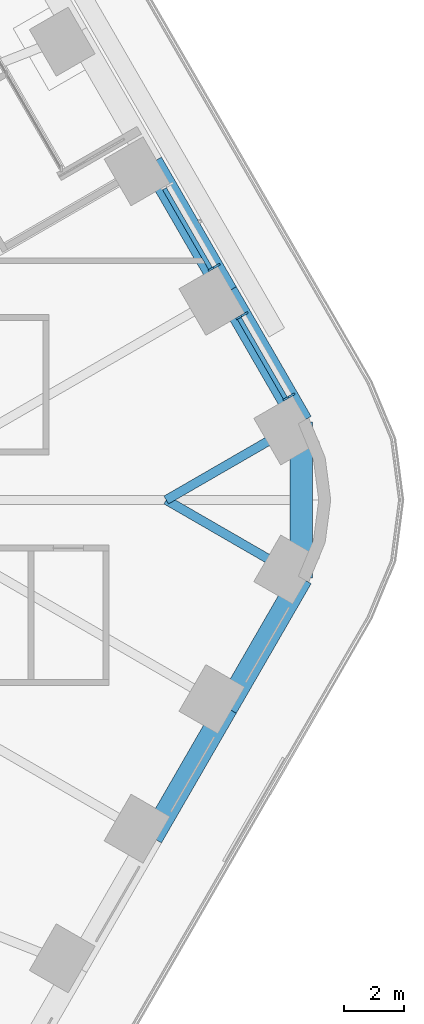
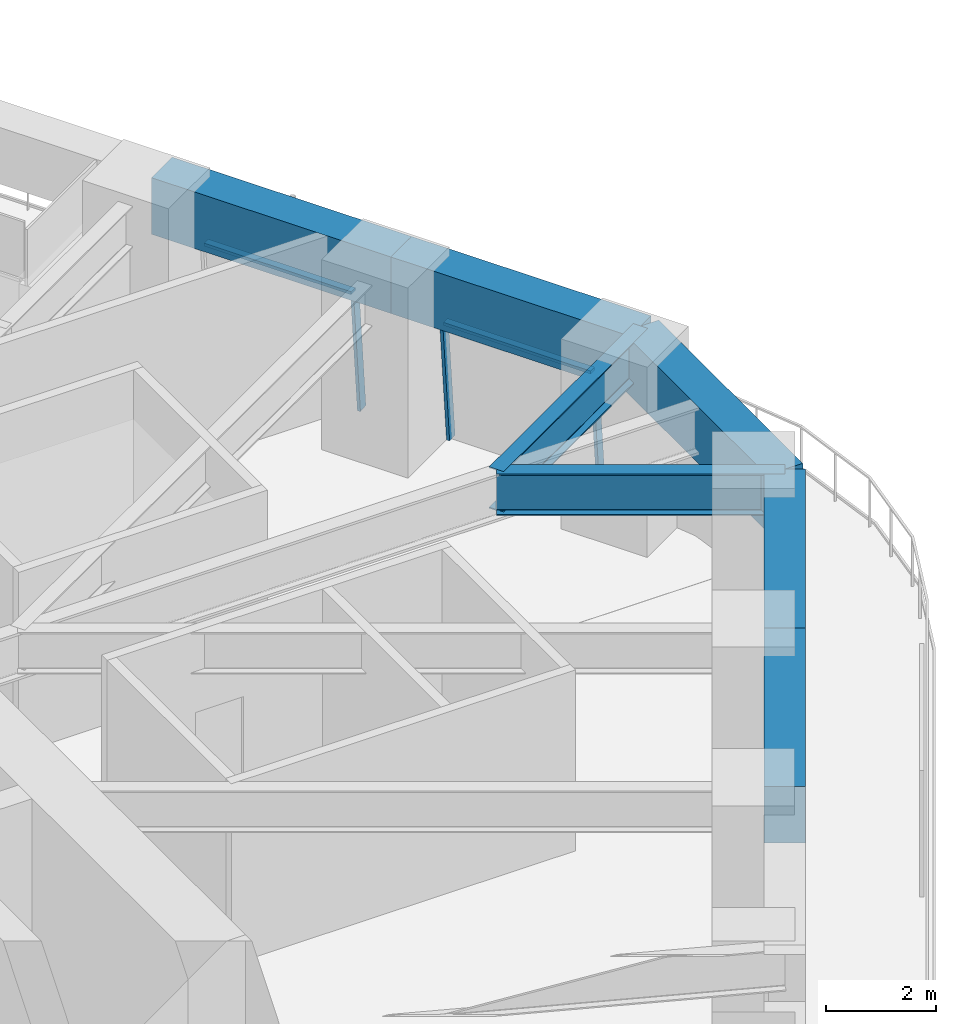
# One storey, part 14 of 24: 7 beams, 5 members, 2 elements without a shape of their own.
"""IFC4 building model written with IfcOpenShell, lengths in metres."""

from ifc_helpers import new_model, si_unit, direction, frame, origin, origin_2d, place, context, subcontext, project, spatial, rectangle, i_section, extrude, material, material_profile, profile_set, type_object, element, aggregate, save


model = new_model("IFC4")

# Units and contexts
model_context = context("Model", 3, precision=1e-05, world=origin(), true_north=direction((0.0, 1.0)))
body_context = subcontext(model_context, "Body", "Model", "MODEL_VIEW")
ifc_project = project(units=[si_unit("LENGTHUNIT", "METRE"), si_unit("AREAUNIT", "SQUARE_METRE"), si_unit("VOLUMEUNIT", "CUBIC_METRE"), si_unit("PLANEANGLEUNIT", "RADIAN"), si_unit("MASSUNIT", "GRAM", prefix="KILO")], contexts=[model_context])

# Site, building, storey
site_placement = place(None, origin())
site = spatial("IfcSite", under=ifc_project, at=site_placement, CompositionType="ELEMENT")
building_placement = place(site_placement, origin())
building = spatial("IfcBuilding", under=site, at=building_placement, Name="Tarfa Lantern Tower", CompositionType="ELEMENT")
storey_placement = place(building_placement, frame((0.0, 0.0, 136.300048828125)))
storey = spatial("IfcBuildingStorey", under=building, at=storey_placement, Name="L30", CompositionType="ELEMENT", Elevation=136.300048828125)

# Curtain wall, members
ifc_material_1 = material(Name="Aluminium framed curtain wall", Category="aluminium")
curtain_wall_type = type_object("IfcCurtainWallType", Name="CW2 CANTED GLAZING MID ZONE 2750", PredefinedType="USERDEFINED", material=ifc_material_1)
curtain_wall_1_placement = place(storey_placement, origin())
curtain_wall_1 = element("IfcCurtainWall", 1, at=curtain_wall_1_placement, inside=storey, type_object=curtain_wall_type, Name="CW2 NE L30", ObjectType="CURTAIN WALL", PredefinedType="USERDEFINED")
ifc_material_2 = material(Name="Aluminium mullion", Category="aluminium")
ifc_material_profile_1 = material_profile(ifc_material_2, rectangle(XDim=0.06494140625, YDim=0.199951171875, at=origin_2d()), Name="AL MULLION 65x200")
ifc_profile_set_1 = profile_set([ifc_material_profile_1], Name="Aluminium mullion")
member_type_1 = type_object("IfcMemberType", Name="CWM1 MULLION 65x200", PredefinedType="MULLION", material=ifc_profile_set_1)
member_1_placement = place(storey_placement, frame((34.232421875, 3.507568359375, 0.0), z_axis=(-0.078335079308, -0.045268127094, 0.995898796073), x_axis=(0.500342721131, -0.865827443207, 0.0)))
member_1 = element("IfcMember", 2, at=member_1_placement, type_object=member_type_1, Name="CW2 mullion 1", PredefinedType="MULLION", context=body_context, shape_type="SweptSolid", body=[
    extrude(rectangle(XDim=0.06494140625, YDim=0.199951171875, at=origin_2d()), origin(), (0.0, 0.0, 1.0), 2.76123046875),
])
member_2_placement = place(storey_placement, frame((32.6630859375, 6.225830078125, 0.0), z_axis=(-0.078422950161, -0.045267813396, 0.995891894715), x_axis=(0.499919672301, -0.866071776036, 0.0)))
member_2 = element("IfcMember", 3, at=member_2_placement, type_object=member_type_1, Name="CW2 mullion 2", PredefinedType="MULLION", context=body_context, shape_type="SweptSolid", body=[
    extrude(rectangle(XDim=0.06494140625, YDim=0.199951171875, at=origin_2d()), origin(), (0.0, 0.0, 1.0), 2.76123046875),
])

# Curtain wall, member
curtain_wall_2_placement = place(storey_placement, origin())
curtain_wall_2 = element("IfcCurtainWall", 4, at=curtain_wall_2_placement, inside=storey, type_object=curtain_wall_type, Name="CW2 NE L30", ObjectType="CURTAIN WALL", PredefinedType="USERDEFINED")
member_3_placement = place(storey_placement, frame((31.730712890625, 7.8408203125, 0.0), z_axis=(-0.078422950161, -0.045267813396, 0.995891894715), x_axis=(0.499919672301, -0.866071776036, 0.0)))
member_3 = element("IfcMember", 5, at=member_3_placement, type_object=member_type_1, Name="CW2 mullion 1", PredefinedType="MULLION", context=body_context, shape_type="SweptSolid", body=[
    extrude(rectangle(XDim=0.06494140625, YDim=0.199951171875, at=origin_2d()), origin(), (0.0, 0.0, 1.0), 2.76123046875),
])

# Member
ifc_material_3 = material(Name="Aluminium transom", Category="aluminium")
ifc_material_profile_2 = material_profile(ifc_material_3, rectangle(XDim=0.14990234375, YDim=0.06494140625, at=origin_2d()), Name="AL TRANSOM 150x65")
ifc_profile_set_2 = profile_set([ifc_material_profile_2], Name="Aluminium transom")
member_type_2 = type_object("IfcMemberType", Name="CWT1 TRANSOM 150x65", PredefinedType="USERDEFINED", material=ifc_profile_set_2)
member_4_placement = place(storey_placement, frame((34.002197265625, 3.412109375, 2.717529296875), z_axis=(-0.500008936691, 0.866020244122, 0.0), x_axis=(-0.866020244122, -0.500008936691, 0.0)))
member_4 = element("IfcMember", 6, at=member_4_placement, type_object=member_type_2, Name="CW2 transom 1.2", ObjectType="TRANSOM", PredefinedType="USERDEFINED", context=body_context, shape_type="SweptSolid", body=[
    extrude(rectangle(XDim=0.14990234375, YDim=0.06494140625, at=origin_2d()), origin(), (0.0, 0.0, 1.0), 3.07373046875),
])

aggregate(curtain_wall_1, [member_1, member_2, member_4])

member_5_placement = place(storey_placement, frame((31.50048828125, 7.74560546875, 2.717529296875), z_axis=(-0.500008936691, 0.866020244122, 0.0), x_axis=(-0.866020244122, -0.500008936691, 0.0)))
member_5 = element("IfcMember", 7, at=member_5_placement, type_object=member_type_2, Name="CW2 transom 1.2", ObjectType="TRANSOM", PredefinedType="USERDEFINED", context=body_context, shape_type="SweptSolid", body=[
    extrude(rectangle(XDim=0.14990234375, YDim=0.06494140625, at=origin_2d()), origin(), (0.0, 0.0, 1.0), 3.07373046875),
])

aggregate(curtain_wall_2, [member_3, member_5])

# Beams
ifc_material_4 = material(Name="Concrete C80/95", Category="concrete")
ifc_material_profile_3 = material_profile(ifc_material_4, rectangle(XDim=0.75, YDim=1.25, at=origin_2d()), Name="RC 750x1250")
ifc_profile_set_3 = profile_set([ifc_material_profile_3], Name="Concrete C80/95")
beam_type_1 = type_object("IfcBeamType", Name="EB2 RC 750x1250", PredefinedType="SPANDREL", material=ifc_profile_set_3)
for number, where, z_axis, x_axis, name in (
    (8, (34.54296875, 2.610107421875, 3.375), (-0.500022324899, 0.866012514114, 0.0), (-0.866012514114, -0.500022324899, 0.0), "Edge beam NE0"),
    (9, (32.041015625, 6.943359375, 3.375), (-0.500022324899, 0.866012514114, 0.0), (-0.866012514114, -0.500022324899, 0.0), "Edge beam NE1"),
    (10, (29.5390625, -11.276611328125, 3.375), (0.500022324899, 0.866012514114, 0.0), (-0.866012514114, 0.500022324899, 0.0), "Edge beam SE4"),
    (11, (32.041015625, -6.943359375, 3.375), (0.500022324899, 0.866012514114, 0.0), (-0.866012514114, 0.500022324899, 0.0), "Edge beam SE5"),
):
    element("IfcBeam", number, at=place(storey_placement, frame(where, z_axis=z_axis, x_axis=x_axis)), inside=storey, type_object=beam_type_1, Name=name, PredefinedType="SPANDREL", context=body_context, shape_type="SweptSolid", body=[
        extrude(rectangle(XDim=0.75, YDim=1.25, at=origin_2d()), origin(), (0.0, 0.0, 1.0), 5.003662109375),
    ])
beam_placement = place(storey_placement, frame((34.54296875, -2.610107421875, 3.375), z_axis=(0.0, 1.0, 0.0), x_axis=(-1.0, 0.0, 0.0)))
element("IfcBeam", 12, at=beam_placement, inside=storey, type_object=beam_type_1, Name="Edge beam SE6", PredefinedType="SPANDREL", context=body_context, shape_type="SweptSolid", body=[
    extrude(rectangle(XDim=0.75, YDim=1.25, at=origin_2d()), origin(), (0.0, 0.0, 1.0), 5.22021484375),
])
ifc_material_5 = material(Name="Steel S460M", Category="steel")
ifc_material_profile_4 = material_profile(ifc_material_5, i_section(OverallWidth=0.305419921875, OverallDepth=0.91845703125, WebThickness=0.017333984375, FlangeThickness=0.02783203125, FilletRadius=0.01904296875, at=origin_2d()), Name="UB914x305x253")
ifc_profile_set_4 = profile_set([ifc_material_profile_4], Name="Steel S460M")
beam_type_2 = type_object("IfcBeamType", Name="UB914x305x253", PredefinedType="BEAM", material=ifc_profile_set_4)
for number, where, z_axis, x_axis, name in (
    (13, (34.54296875, 2.610107421875, 3.540771484375), (-0.866021250859, -0.500007193008, 0.0), (0.500007193008, -0.866021250859, 0.0), "Floor beam NE0"),
    (14, (34.54296875, -2.610107421875, 3.540771484375), (-0.866021250859, 0.500007193008, 0.0), (-0.500007193008, -0.866021250859, 0.0), "Floor beam SE6"),
):
    element("IfcBeam", number, at=place(storey_placement, frame(where, z_axis=z_axis, x_axis=x_axis)), inside=storey, type_object=beam_type_2, Name=name, PredefinedType="BEAM", context=body_context, shape_type="SweptSolid", body=[
        extrude(i_section(OverallWidth=0.305419921875, OverallDepth=0.91845703125, WebThickness=0.017333984375, FlangeThickness=0.02783203125, FilletRadius=0.01904296875, at=origin_2d()), origin(), (0.0, 0.0, 1.0), 5.22021484375),
    ])

save(model, "model.ifc")
